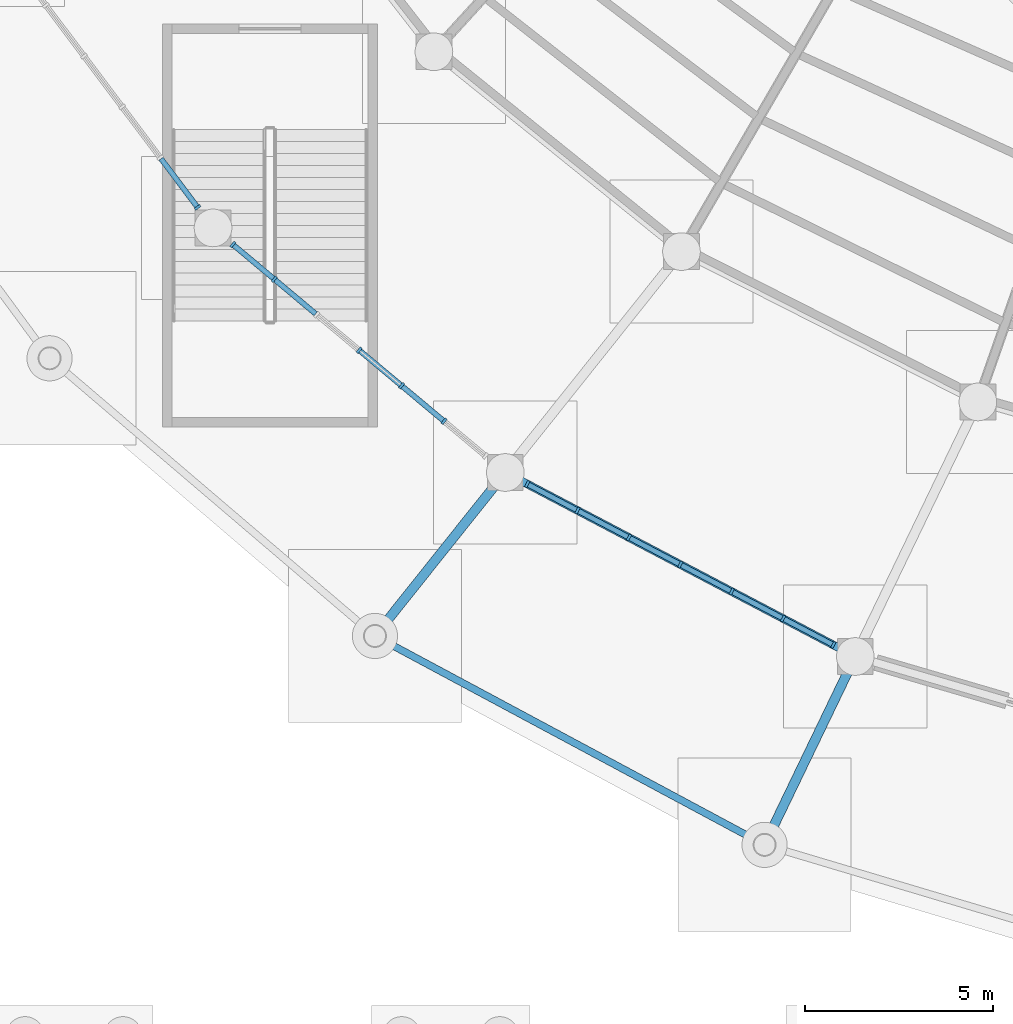
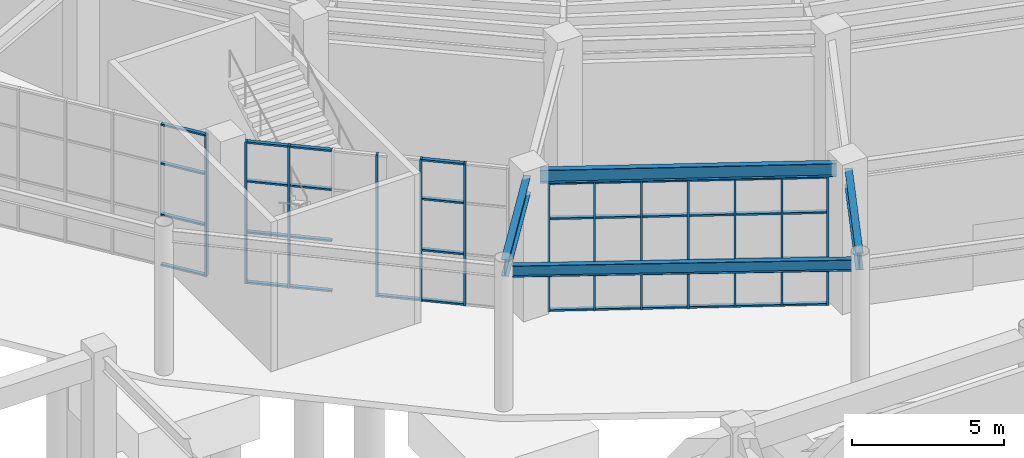
# One storey, part 28 of 121: 54 members, 4 beams, 3 elements without a shape of their own.
"""IFC4 building model written with IfcOpenShell, lengths in metres."""

from ifc_helpers import new_model, si_unit, direction, frame, origin, origin_2d, place, context, subcontext, project, spatial, rectangle, i_section, extrude, material, material_profile, profile_set, type_object, element, aggregate, save


model = new_model("IFC4")

# Units and contexts
model_context = context("Model", 3, precision=1e-05, world=origin(), true_north=direction((0.0, 1.0)))
body_context = subcontext(model_context, "Body", "Model", "MODEL_VIEW")
ifc_project = project(units=[si_unit("LENGTHUNIT", "METRE"), si_unit("AREAUNIT", "SQUARE_METRE"), si_unit("VOLUMEUNIT", "CUBIC_METRE"), si_unit("PLANEANGLEUNIT", "RADIAN"), si_unit("MASSUNIT", "GRAM", prefix="KILO")], contexts=[model_context])

# Site, building, storey
site_placement = place(None, origin())
site = spatial("IfcSite", under=ifc_project, at=site_placement, CompositionType="ELEMENT")
building_placement = place(site_placement, origin())
building = spatial("IfcBuilding", under=site, at=building_placement, Name="Cuetzalor Civic Arena", CompositionType="ELEMENT")
storey_placement = place(building_placement, origin())
storey = spatial("IfcBuildingStorey", under=building, at=storey_placement, Name="L00", CompositionType="ELEMENT", Elevation=0.0)

# Curtain wall, member
ifc_material_1 = material(Name="Anodised dark bronze aluminium and low-E solar glass", Category="aluminium")
curtain_wall_type_1 = type_object("IfcCurtainWallType", Name="UnitisedCW_8450x5700", PredefinedType="USERDEFINED", material=ifc_material_1)
curtain_wall_1_placement = place(storey_placement, origin())
curtain_wall_1 = element("IfcCurtainWall", 1, at=curtain_wall_1_placement, inside=storey, type_object=curtain_wall_type_1, Name="Drum Ground Recessed Concourse Curtain Wall L00-012", ObjectType="UNITISED CURTAIN WALL", PredefinedType="USERDEFINED")
ifc_material_2 = material(Name="Anodised dark bronze aluminium", Category="aluminium")
ifc_material_profile_1 = material_profile(ifc_material_2, rectangle(XDim=0.070068359375, YDim=0.179931640625, at=origin_2d()), Name="ALU MULLION 70x180")
ifc_profile_set_1 = profile_set([ifc_material_profile_1], Name="Anodised dark bronze aluminium")
member_type_1 = type_object("IfcMemberType", Name="CurtainWallMullion_65x180", PredefinedType="MULLION", material=ifc_profile_set_1)
member_1_placement = place(storey_placement, frame((-38.71923828125, -25.017822265625, 0.0), z_axis=(0.0, 0.0, 1.0), x_axis=(-0.600491594925, 0.799631067696, 0.0)))
member_1 = element("IfcMember", 2, at=member_1_placement, type_object=member_type_1, Name="CW-02 mullion 1", PredefinedType="MULLION", context=body_context, shape_type="SweptSolid", body=[
    extrude(rectangle(XDim=0.070068359375, YDim=0.179931640625, at=origin_2d()), origin(), (0.0, 0.0, 1.0), 5.699951171875),
])

# Curtain wall, members
ifc_material_3 = material(Name="Anodised dark bronze aluminium and low-E solar glass", Category="aluminium")
curtain_wall_type_2 = type_object("IfcCurtainWallType", Name="UnitisedCW_8800x5700", PredefinedType="USERDEFINED", material=ifc_material_3)
curtain_wall_2_placement = place(storey_placement, origin())
curtain_wall_2 = element("IfcCurtainWall", 3, at=curtain_wall_2_placement, inside=storey, type_object=curtain_wall_type_2, Name="Drum Ground Recessed Concourse Curtain Wall L00-013", ObjectType="UNITISED CURTAIN WALL", PredefinedType="USERDEFINED")
member_2_placement = place(storey_placement, frame((-32.177001953125, -30.694580078125, 0.0), z_axis=(0.0, 0.0, 1.0), x_axis=(-0.766928030459, 0.641733119059, 0.0)))
member_2 = element("IfcMember", 4, at=member_2_placement, type_object=member_type_1, Name="CW-03 mullion 2", PredefinedType="MULLION", context=body_context, shape_type="SweptSolid", body=[
    extrude(rectangle(XDim=0.070068359375, YDim=0.179931640625, at=origin_2d()), origin(), (0.0, 0.0, 1.0), 5.699951171875),
])
member_3_placement = place(storey_placement, frame((-33.3037109375, -29.751953125, 0.0), z_axis=(0.0, 0.0, 1.0), x_axis=(-0.766928030459, 0.641733119059, 0.0)))
member_3 = element("IfcMember", 5, at=member_3_placement, type_object=member_type_1, Name="CW-03 mullion 3", PredefinedType="MULLION", context=body_context, shape_type="SweptSolid", body=[
    extrude(rectangle(XDim=0.070068359375, YDim=0.179931640625, at=origin_2d()), origin(), (0.0, 0.0, 1.0), 5.699951171875),
])
member_4_placement = place(storey_placement, frame((-34.430419921875, -28.80908203125, 0.0), z_axis=(0.0, 0.0, 1.0), x_axis=(-0.766928030459, 0.641733119059, 0.0)))
member_4 = element("IfcMember", 6, at=member_4_placement, type_object=member_type_1, Name="CW-03 mullion 4", PredefinedType="MULLION", context=body_context, shape_type="SweptSolid", body=[
    extrude(rectangle(XDim=0.070068359375, YDim=0.179931640625, at=origin_2d()), origin(), (0.0, 0.0, 1.0), 5.699951171875),
])
member_5_placement = place(storey_placement, frame((-36.68359375, -26.923583984375, 0.0), z_axis=(0.0, 0.0, 1.0), x_axis=(-0.766928030459, 0.641733119059, 0.0)))
member_5 = element("IfcMember", 7, at=member_5_placement, type_object=member_type_1, Name="CW-03 mullion 6", PredefinedType="MULLION", context=body_context, shape_type="SweptSolid", body=[
    extrude(rectangle(XDim=0.070068359375, YDim=0.179931640625, at=origin_2d()), origin(), (0.0, 0.0, 1.0), 5.699951171875),
])
member_6_placement = place(storey_placement, frame((-37.783447265625, -26.00341796875, 0.0), z_axis=(0.0, 0.0, 1.0), x_axis=(-0.766928030459, 0.641733119059, 0.0)))
member_6 = element("IfcMember", 8, at=member_6_placement, type_object=member_type_1, Name="CW-03 mullion 7", PredefinedType="MULLION", context=body_context, shape_type="SweptSolid", body=[
    extrude(rectangle(XDim=0.070068359375, YDim=0.179931640625, at=origin_2d()), origin(), (0.0, 0.0, 1.0), 5.699951171875),
])

ifc_material_4 = material(Name="Anodised dark bronze aluminium and low-E solar glass", Category="aluminium")
curtain_wall_type_3 = type_object("IfcCurtainWallType", Name="UnitisedCW_9250x5150", PredefinedType="USERDEFINED", material=ifc_material_4)
curtain_wall_3_placement = place(storey_placement, origin())
curtain_wall_3 = element("IfcCurtainWall", 9, at=curtain_wall_3_placement, inside=storey, type_object=curtain_wall_type_3, Name="Drum Ground Recessed Concourse Curtain Wall L00-014", ObjectType="UNITISED CURTAIN WALL", PredefinedType="USERDEFINED")
member_7_placement = place(storey_placement, frame((-21.84326171875, -36.63330078125, 0.0), z_axis=(0.0, 0.0, 1.0), x_axis=(-0.885118421147, 0.465365856662, 0.0)))
member_7 = element("IfcMember", 10, at=member_7_placement, type_object=member_type_1, Name="CW-04 mullion 1", PredefinedType="MULLION", context=body_context, shape_type="SweptSolid", body=[
    extrude(rectangle(XDim=0.070068359375, YDim=0.179931640625, at=origin_2d()), origin(), (0.0, 0.0, 1.0), 5.156982421875),
])
member_8_placement = place(storey_placement, frame((-23.1767578125, -35.93212890625, 0.0), z_axis=(0.0, 0.0, 1.0), x_axis=(-0.885118421147, 0.465365856662, 0.0)))
member_8 = element("IfcMember", 11, at=member_8_placement, type_object=member_type_1, Name="CW-04 mullion 2", PredefinedType="MULLION", context=body_context, shape_type="SweptSolid", body=[
    extrude(rectangle(XDim=0.070068359375, YDim=0.179931640625, at=origin_2d()), origin(), (0.0, 0.0, 1.0), 5.156982421875),
])
member_9_placement = place(storey_placement, frame((-24.541259765625, -35.21484375, 0.0), z_axis=(0.0, 0.0, 1.0), x_axis=(-0.885118421147, 0.465365856662, 0.0)))
member_9 = element("IfcMember", 12, at=member_9_placement, type_object=member_type_1, Name="CW-04 mullion 3", PredefinedType="MULLION", context=body_context, shape_type="SweptSolid", body=[
    extrude(rectangle(XDim=0.070068359375, YDim=0.179931640625, at=origin_2d()), origin(), (0.0, 0.0, 1.0), 5.156982421875),
])
member_10_placement = place(storey_placement, frame((-25.90576171875, -34.497314453125, 0.0), z_axis=(0.0, 0.0, 1.0), x_axis=(-0.885118421147, 0.465365856662, 0.0)))
member_10 = element("IfcMember", 13, at=member_10_placement, type_object=member_type_1, Name="CW-04 mullion 4", PredefinedType="MULLION", context=body_context, shape_type="SweptSolid", body=[
    extrude(rectangle(XDim=0.070068359375, YDim=0.179931640625, at=origin_2d()), origin(), (0.0, 0.0, 1.0), 5.156982421875),
])
member_11_placement = place(storey_placement, frame((-27.27001953125, -33.780029296875, 0.0), z_axis=(0.0, 0.0, 1.0), x_axis=(-0.885118421147, 0.465365856662, 0.0)))
member_11 = element("IfcMember", 14, at=member_11_placement, type_object=member_type_1, Name="CW-04 mullion 5", PredefinedType="MULLION", context=body_context, shape_type="SweptSolid", body=[
    extrude(rectangle(XDim=0.070068359375, YDim=0.179931640625, at=origin_2d()), origin(), (0.0, 0.0, 1.0), 5.156982421875),
])
member_12_placement = place(storey_placement, frame((-28.634521484375, -33.0625, 0.0), z_axis=(0.0, 0.0, 1.0), x_axis=(-0.885118421147, 0.465365856662, 0.0)))
member_12 = element("IfcMember", 15, at=member_12_placement, type_object=member_type_1, Name="CW-04 mullion 6", PredefinedType="MULLION", context=body_context, shape_type="SweptSolid", body=[
    extrude(rectangle(XDim=0.070068359375, YDim=0.179931640625, at=origin_2d()), origin(), (0.0, 0.0, 1.0), 5.156982421875),
])
member_13_placement = place(storey_placement, frame((-29.968017578125, -32.361572265625, 0.0), z_axis=(0.0, 0.0, 1.0), x_axis=(-0.885118421147, 0.465365856662, 0.0)))
member_13 = element("IfcMember", 16, at=member_13_placement, type_object=member_type_1, Name="CW-04 mullion 7", PredefinedType="MULLION", context=body_context, shape_type="SweptSolid", body=[
    extrude(rectangle(XDim=0.070068359375, YDim=0.179931640625, at=origin_2d()), origin(), (0.0, 0.0, 1.0), 5.156982421875),
])

# Member
ifc_material_5 = material(Name="Anodised dark bronze aluminium", Category="aluminium")
ifc_material_profile_2 = material_profile(ifc_material_5, rectangle(XDim=0.139892578125, YDim=0.070068359375, at=origin_2d()), Name="ALU TRANSOM 70x140")
ifc_profile_set_2 = profile_set([ifc_material_profile_2], Name="Anodised dark bronze aluminium")
member_type_2 = type_object("IfcMemberType", Name="CurtainWallTransom_65x140", PredefinedType="USERDEFINED", material=ifc_profile_set_2)
member_14_placement = place(storey_placement, frame((-38.740234375, -24.98974609375, 0.034912109375), z_axis=(-0.600518840652, 0.799610606496, 0.0), x_axis=(-0.799610606496, -0.600518840652, 0.0)))
member_14 = element("IfcMember", 17, at=member_14_placement, type_object=member_type_2, Name="CW-02 transom 1.1", ObjectType="TRANSOM", PredefinedType="USERDEFINED", context=body_context, shape_type="SweptSolid", body=[
    extrude(rectangle(XDim=0.139892578125, YDim=0.070068359375, at=origin_2d()), origin(), (0.0, 0.0, 1.0), 1.58056640625),
])

member_15_placement = place(storey_placement, frame((-38.740234375, -24.98974609375, 2.052001953125), z_axis=(-0.600518840652, 0.799610606496, 0.0), x_axis=(-0.799610606496, -0.600518840652, 0.0)))
member_15 = element("IfcMember", 18, at=member_15_placement, type_object=member_type_2, Name="CW-02 transom 1.2", ObjectType="TRANSOM", PredefinedType="USERDEFINED", context=body_context, shape_type="SweptSolid", body=[
    extrude(rectangle(XDim=0.139892578125, YDim=0.070068359375, at=origin_2d()), origin(), (0.0, 0.0, 1.0), 1.58056640625),
])

member_16_placement = place(storey_placement, frame((-38.740234375, -24.98974609375, 4.10400390625), z_axis=(-0.600518840652, 0.799610606496, 0.0), x_axis=(-0.799610606496, -0.600518840652, 0.0)))
member_16 = element("IfcMember", 19, at=member_16_placement, type_object=member_type_2, Name="CW-02 transom 1.3", ObjectType="TRANSOM", PredefinedType="USERDEFINED", context=body_context, shape_type="SweptSolid", body=[
    extrude(rectangle(XDim=0.139892578125, YDim=0.070068359375, at=origin_2d()), origin(), (0.0, 0.0, 1.0), 1.58056640625),
])

member_17_placement = place(storey_placement, frame((-38.740234375, -24.98974609375, 5.6650390625), z_axis=(-0.600518840652, 0.799610606496, 0.0), x_axis=(-0.799610606496, -0.600518840652, 0.0)))
member_17 = element("IfcMember", 20, at=member_17_placement, type_object=member_type_2, Name="CW-02 transom 1.4", ObjectType="TRANSOM", PredefinedType="USERDEFINED", context=body_context, shape_type="SweptSolid", body=[
    extrude(rectangle(XDim=0.139892578125, YDim=0.070068359375, at=origin_2d()), origin(), (0.0, 0.0, 1.0), 1.58056640625),
])

aggregate(curtain_wall_1, [member_1, member_14, member_15, member_16, member_17])

member_18_placement = place(storey_placement, frame((-32.203857421875, -30.672119140625, 0.034912109375), z_axis=(-0.766975365209, 0.641676545591, 0.0), x_axis=(-0.641676545591, -0.766975365209, 0.0)))
member_18 = element("IfcMember", 21, at=member_18_placement, type_object=member_type_2, Name="CW-03 transom 2.1", ObjectType="TRANSOM", PredefinedType="USERDEFINED", context=body_context, shape_type="SweptSolid", body=[
    extrude(rectangle(XDim=0.139892578125, YDim=0.070068359375, at=origin_2d()), origin(), (0.0, 0.0, 1.0), 1.39892578125),
])

member_19_placement = place(storey_placement, frame((-32.203857421875, -30.672119140625, 2.052001953125), z_axis=(-0.766975365209, 0.641676545591, 0.0), x_axis=(-0.641676545591, -0.766975365209, 0.0)))
member_19 = element("IfcMember", 22, at=member_19_placement, type_object=member_type_2, Name="CW-03 transom 2.2", ObjectType="TRANSOM", PredefinedType="USERDEFINED", context=body_context, shape_type="SweptSolid", body=[
    extrude(rectangle(XDim=0.139892578125, YDim=0.070068359375, at=origin_2d()), origin(), (0.0, 0.0, 1.0), 1.39892578125),
])

member_20_placement = place(storey_placement, frame((-32.203857421875, -30.672119140625, 4.10400390625), z_axis=(-0.766975365209, 0.641676545591, 0.0), x_axis=(-0.641676545591, -0.766975365209, 0.0)))
member_20 = element("IfcMember", 23, at=member_20_placement, type_object=member_type_2, Name="CW-03 transom 2.3", ObjectType="TRANSOM", PredefinedType="USERDEFINED", context=body_context, shape_type="SweptSolid", body=[
    extrude(rectangle(XDim=0.139892578125, YDim=0.070068359375, at=origin_2d()), origin(), (0.0, 0.0, 1.0), 1.39892578125),
])

member_21_placement = place(storey_placement, frame((-32.203857421875, -30.672119140625, 5.6650390625), z_axis=(-0.766975365209, 0.641676545591, 0.0), x_axis=(-0.641676545591, -0.766975365209, 0.0)))
member_21 = element("IfcMember", 24, at=member_21_placement, type_object=member_type_2, Name="CW-03 transom 2.4", ObjectType="TRANSOM", PredefinedType="USERDEFINED", context=body_context, shape_type="SweptSolid", body=[
    extrude(rectangle(XDim=0.139892578125, YDim=0.070068359375, at=origin_2d()), origin(), (0.0, 0.0, 1.0), 1.39892578125),
])

member_22_placement = place(storey_placement, frame((-33.33056640625, -29.7294921875, 0.034912109375), z_axis=(-0.766889482405, 0.641779184593, 0.0), x_axis=(-0.641779184593, -0.766889482405, 0.0)))
member_22 = element("IfcMember", 25, at=member_22_placement, type_object=member_type_2, Name="CW-03 transom 3.1", ObjectType="TRANSOM", PredefinedType="USERDEFINED", context=body_context, shape_type="SweptSolid", body=[
    extrude(rectangle(XDim=0.139892578125, YDim=0.070068359375, at=origin_2d()), origin(), (0.0, 0.0, 1.0), 1.399169921875),
])

member_23_placement = place(storey_placement, frame((-35.583740234375, -27.843994140625, 0.034912109375), z_axis=(-0.766889482405, 0.641779184593, 0.0), x_axis=(-0.641779184593, -0.766889482405, 0.0)))
member_23 = element("IfcMember", 26, at=member_23_placement, type_object=member_type_2, Name="CW-03 transom 5.1", ObjectType="TRANSOM", PredefinedType="USERDEFINED", context=body_context, shape_type="SweptSolid", body=[
    extrude(rectangle(XDim=0.139892578125, YDim=0.070068359375, at=origin_2d()), origin(), (0.0, 0.0, 1.0), 1.399169921875),
])

member_24_placement = place(storey_placement, frame((-35.583740234375, -27.843994140625, 2.052001953125), z_axis=(-0.766889482405, 0.641779184593, 0.0), x_axis=(-0.641779184593, -0.766889482405, 0.0)))
member_24 = element("IfcMember", 27, at=member_24_placement, type_object=member_type_2, Name="CW-03 transom 5.2", ObjectType="TRANSOM", PredefinedType="USERDEFINED", context=body_context, shape_type="SweptSolid", body=[
    extrude(rectangle(XDim=0.139892578125, YDim=0.070068359375, at=origin_2d()), origin(), (0.0, 0.0, 1.0), 1.399169921875),
])

member_25_placement = place(storey_placement, frame((-35.583740234375, -27.843994140625, 4.10400390625), z_axis=(-0.766889482405, 0.641779184593, 0.0), x_axis=(-0.641779184593, -0.766889482405, 0.0)))
member_25 = element("IfcMember", 28, at=member_25_placement, type_object=member_type_2, Name="CW-03 transom 5.3", ObjectType="TRANSOM", PredefinedType="USERDEFINED", context=body_context, shape_type="SweptSolid", body=[
    extrude(rectangle(XDim=0.139892578125, YDim=0.070068359375, at=origin_2d()), origin(), (0.0, 0.0, 1.0), 1.399169921875),
])

member_26_placement = place(storey_placement, frame((-35.583740234375, -27.843994140625, 5.6650390625), z_axis=(-0.766889482405, 0.641779184593, 0.0), x_axis=(-0.641779184593, -0.766889482405, 0.0)))
member_26 = element("IfcMember", 29, at=member_26_placement, type_object=member_type_2, Name="CW-03 transom 5.4", ObjectType="TRANSOM", PredefinedType="USERDEFINED", context=body_context, shape_type="SweptSolid", body=[
    extrude(rectangle(XDim=0.139892578125, YDim=0.070068359375, at=origin_2d()), origin(), (0.0, 0.0, 1.0), 1.399169921875),
])

member_27_placement = place(storey_placement, frame((-36.71044921875, -26.901123046875, 0.034912109375), z_axis=(-0.766972759582, 0.641679660001, 0.0), x_axis=(-0.641679660001, -0.766972759582, 0.0)))
member_27 = element("IfcMember", 30, at=member_27_placement, type_object=member_type_2, Name="CW-03 transom 6.1", ObjectType="TRANSOM", PredefinedType="USERDEFINED", context=body_context, shape_type="SweptSolid", body=[
    extrude(rectangle(XDim=0.139892578125, YDim=0.070068359375, at=origin_2d()), origin(), (0.0, 0.0, 1.0), 1.364013671875),
])

member_28_placement = place(storey_placement, frame((-36.71044921875, -26.901123046875, 2.052001953125), z_axis=(-0.766972759582, 0.641679660001, 0.0), x_axis=(-0.641679660001, -0.766972759582, 0.0)))
member_28 = element("IfcMember", 31, at=member_28_placement, type_object=member_type_2, Name="CW-03 transom 6.2", ObjectType="TRANSOM", PredefinedType="USERDEFINED", context=body_context, shape_type="SweptSolid", body=[
    extrude(rectangle(XDim=0.139892578125, YDim=0.070068359375, at=origin_2d()), origin(), (0.0, 0.0, 1.0), 1.364013671875),
])

member_29_placement = place(storey_placement, frame((-36.71044921875, -26.901123046875, 4.10400390625), z_axis=(-0.766972759582, 0.641679660001, 0.0), x_axis=(-0.641679660001, -0.766972759582, 0.0)))
member_29 = element("IfcMember", 32, at=member_29_placement, type_object=member_type_2, Name="CW-03 transom 6.3", ObjectType="TRANSOM", PredefinedType="USERDEFINED", context=body_context, shape_type="SweptSolid", body=[
    extrude(rectangle(XDim=0.139892578125, YDim=0.070068359375, at=origin_2d()), origin(), (0.0, 0.0, 1.0), 1.364013671875),
])

member_30_placement = place(storey_placement, frame((-36.71044921875, -26.901123046875, 5.6650390625), z_axis=(-0.766972759582, 0.641679660001, 0.0), x_axis=(-0.641679660001, -0.766972759582, 0.0)))
member_30 = element("IfcMember", 33, at=member_30_placement, type_object=member_type_2, Name="CW-03 transom 6.4", ObjectType="TRANSOM", PredefinedType="USERDEFINED", context=body_context, shape_type="SweptSolid", body=[
    extrude(rectangle(XDim=0.139892578125, YDim=0.070068359375, at=origin_2d()), origin(), (0.0, 0.0, 1.0), 1.364013671875),
])

aggregate(curtain_wall_2, [member_2, member_3, member_4, member_5, member_6, member_18, member_19, member_20, member_21, member_22, member_23, member_24, member_25, member_26, member_27, member_28, member_29, member_30])

member_31_placement = place(storey_placement, frame((-21.874267578125, -36.616943359375, 0.034912109375), z_axis=(-0.885131956894, 0.465340110978, 0.0), x_axis=(-0.465340110978, -0.885131956894, 0.0)))
member_31 = element("IfcMember", 34, at=member_31_placement, type_object=member_type_2, Name="CW-04 transom 1.1", ObjectType="TRANSOM", PredefinedType="USERDEFINED", context=body_context, shape_type="SweptSolid", body=[
    extrude(rectangle(XDim=0.139892578125, YDim=0.070068359375, at=origin_2d()), origin(), (0.0, 0.0, 1.0), 1.4365234375),
])

member_32_placement = place(storey_placement, frame((-21.874267578125, -36.616943359375, 1.85693359375), z_axis=(-0.885131956894, 0.465340110978, 0.0), x_axis=(-0.465340110978, -0.885131956894, 0.0)))
member_32 = element("IfcMember", 35, at=member_32_placement, type_object=member_type_2, Name="CW-04 transom 1.2", ObjectType="TRANSOM", PredefinedType="USERDEFINED", context=body_context, shape_type="SweptSolid", body=[
    extrude(rectangle(XDim=0.139892578125, YDim=0.070068359375, at=origin_2d()), origin(), (0.0, 0.0, 1.0), 1.4365234375),
])

member_33_placement = place(storey_placement, frame((-21.874267578125, -36.616943359375, 3.712890625), z_axis=(-0.885131956894, 0.465340110978, 0.0), x_axis=(-0.465340110978, -0.885131956894, 0.0)))
member_33 = element("IfcMember", 36, at=member_33_placement, type_object=member_type_2, Name="CW-04 transom 1.3", ObjectType="TRANSOM", PredefinedType="USERDEFINED", context=body_context, shape_type="SweptSolid", body=[
    extrude(rectangle(XDim=0.139892578125, YDim=0.070068359375, at=origin_2d()), origin(), (0.0, 0.0, 1.0), 1.4365234375),
])

member_34_placement = place(storey_placement, frame((-21.874267578125, -36.616943359375, 5.1220703125), z_axis=(-0.885131956894, 0.465340110978, 0.0), x_axis=(-0.465340110978, -0.885131956894, 0.0)))
member_34 = element("IfcMember", 37, at=member_34_placement, type_object=member_type_2, Name="CW-04 transom 1.4", ObjectType="TRANSOM", PredefinedType="USERDEFINED", context=body_context, shape_type="SweptSolid", body=[
    extrude(rectangle(XDim=0.139892578125, YDim=0.070068359375, at=origin_2d()), origin(), (0.0, 0.0, 1.0), 1.4365234375),
])

member_35_placement = place(storey_placement, frame((-23.207763671875, -35.916015625, 0.034912109375), z_axis=(-0.885116079734, 0.465370309963, 0.0), x_axis=(-0.465370309963, -0.885116079734, 0.0)))
member_35 = element("IfcMember", 38, at=member_35_placement, type_object=member_type_2, Name="CW-04 transom 2.1", ObjectType="TRANSOM", PredefinedType="USERDEFINED", context=body_context, shape_type="SweptSolid", body=[
    extrude(rectangle(XDim=0.139892578125, YDim=0.070068359375, at=origin_2d()), origin(), (0.0, 0.0, 1.0), 1.471435546875),
])

member_36_placement = place(storey_placement, frame((-23.207763671875, -35.916015625, 1.85693359375), z_axis=(-0.885116079734, 0.465370309963, 0.0), x_axis=(-0.465370309963, -0.885116079734, 0.0)))
member_36 = element("IfcMember", 39, at=member_36_placement, type_object=member_type_2, Name="CW-04 transom 2.2", ObjectType="TRANSOM", PredefinedType="USERDEFINED", context=body_context, shape_type="SweptSolid", body=[
    extrude(rectangle(XDim=0.139892578125, YDim=0.070068359375, at=origin_2d()), origin(), (0.0, 0.0, 1.0), 1.471435546875),
])

member_37_placement = place(storey_placement, frame((-23.207763671875, -35.916015625, 3.712890625), z_axis=(-0.885116079734, 0.465370309963, 0.0), x_axis=(-0.465370309963, -0.885116079734, 0.0)))
member_37 = element("IfcMember", 40, at=member_37_placement, type_object=member_type_2, Name="CW-04 transom 2.3", ObjectType="TRANSOM", PredefinedType="USERDEFINED", context=body_context, shape_type="SweptSolid", body=[
    extrude(rectangle(XDim=0.139892578125, YDim=0.070068359375, at=origin_2d()), origin(), (0.0, 0.0, 1.0), 1.471435546875),
])

member_38_placement = place(storey_placement, frame((-23.207763671875, -35.916015625, 5.1220703125), z_axis=(-0.885116079734, 0.465370309963, 0.0), x_axis=(-0.465370309963, -0.885116079734, 0.0)))
member_38 = element("IfcMember", 41, at=member_38_placement, type_object=member_type_2, Name="CW-04 transom 2.4", ObjectType="TRANSOM", PredefinedType="USERDEFINED", context=body_context, shape_type="SweptSolid", body=[
    extrude(rectangle(XDim=0.139892578125, YDim=0.070068359375, at=origin_2d()), origin(), (0.0, 0.0, 1.0), 1.471435546875),
])

member_39_placement = place(storey_placement, frame((-24.572265625, -35.198486328125, 0.034912109375), z_axis=(-0.885116079734, 0.465370309963, 0.0), x_axis=(-0.465370309963, -0.885116079734, 0.0)))
member_39 = element("IfcMember", 42, at=member_39_placement, type_object=member_type_2, Name="CW-04 transom 3.1", ObjectType="TRANSOM", PredefinedType="USERDEFINED", context=body_context, shape_type="SweptSolid", body=[
    extrude(rectangle(XDim=0.139892578125, YDim=0.070068359375, at=origin_2d()), origin(), (0.0, 0.0, 1.0), 1.471435546875),
])

member_40_placement = place(storey_placement, frame((-24.572265625, -35.198486328125, 1.85693359375), z_axis=(-0.885116079734, 0.465370309963, 0.0), x_axis=(-0.465370309963, -0.885116079734, 0.0)))
member_40 = element("IfcMember", 43, at=member_40_placement, type_object=member_type_2, Name="CW-04 transom 3.2", ObjectType="TRANSOM", PredefinedType="USERDEFINED", context=body_context, shape_type="SweptSolid", body=[
    extrude(rectangle(XDim=0.139892578125, YDim=0.070068359375, at=origin_2d()), origin(), (0.0, 0.0, 1.0), 1.471435546875),
])

member_41_placement = place(storey_placement, frame((-24.572265625, -35.198486328125, 3.712890625), z_axis=(-0.885116079734, 0.465370309963, 0.0), x_axis=(-0.465370309963, -0.885116079734, 0.0)))
member_41 = element("IfcMember", 44, at=member_41_placement, type_object=member_type_2, Name="CW-04 transom 3.3", ObjectType="TRANSOM", PredefinedType="USERDEFINED", context=body_context, shape_type="SweptSolid", body=[
    extrude(rectangle(XDim=0.139892578125, YDim=0.070068359375, at=origin_2d()), origin(), (0.0, 0.0, 1.0), 1.471435546875),
])

member_42_placement = place(storey_placement, frame((-24.572265625, -35.198486328125, 5.1220703125), z_axis=(-0.885116079734, 0.465370309963, 0.0), x_axis=(-0.465370309963, -0.885116079734, 0.0)))
member_42 = element("IfcMember", 45, at=member_42_placement, type_object=member_type_2, Name="CW-04 transom 3.4", ObjectType="TRANSOM", PredefinedType="USERDEFINED", context=body_context, shape_type="SweptSolid", body=[
    extrude(rectangle(XDim=0.139892578125, YDim=0.070068359375, at=origin_2d()), origin(), (0.0, 0.0, 1.0), 1.471435546875),
])

member_43_placement = place(storey_placement, frame((-25.9365234375, -34.481201171875, 0.034912109375), z_axis=(-0.885152002312, 0.465301980226, 0.0), x_axis=(-0.465301980226, -0.885152002312, 0.0)))
member_43 = element("IfcMember", 46, at=member_43_placement, type_object=member_type_2, Name="CW-04 transom 4.1", ObjectType="TRANSOM", PredefinedType="USERDEFINED", context=body_context, shape_type="SweptSolid", body=[
    extrude(rectangle(XDim=0.139892578125, YDim=0.070068359375, at=origin_2d()), origin(), (0.0, 0.0, 1.0), 1.4716796875),
])

member_44_placement = place(storey_placement, frame((-25.9365234375, -34.481201171875, 1.85693359375), z_axis=(-0.885152002312, 0.465301980226, 0.0), x_axis=(-0.465301980226, -0.885152002312, 0.0)))
member_44 = element("IfcMember", 47, at=member_44_placement, type_object=member_type_2, Name="CW-04 transom 4.2", ObjectType="TRANSOM", PredefinedType="USERDEFINED", context=body_context, shape_type="SweptSolid", body=[
    extrude(rectangle(XDim=0.139892578125, YDim=0.070068359375, at=origin_2d()), origin(), (0.0, 0.0, 1.0), 1.4716796875),
])

member_45_placement = place(storey_placement, frame((-25.9365234375, -34.481201171875, 3.712890625), z_axis=(-0.885152002312, 0.465301980226, 0.0), x_axis=(-0.465301980226, -0.885152002312, 0.0)))
member_45 = element("IfcMember", 48, at=member_45_placement, type_object=member_type_2, Name="CW-04 transom 4.3", ObjectType="TRANSOM", PredefinedType="USERDEFINED", context=body_context, shape_type="SweptSolid", body=[
    extrude(rectangle(XDim=0.139892578125, YDim=0.070068359375, at=origin_2d()), origin(), (0.0, 0.0, 1.0), 1.4716796875),
])

member_46_placement = place(storey_placement, frame((-25.9365234375, -34.481201171875, 5.1220703125), z_axis=(-0.885152002312, 0.465301980226, 0.0), x_axis=(-0.465301980226, -0.885152002312, 0.0)))
member_46 = element("IfcMember", 49, at=member_46_placement, type_object=member_type_2, Name="CW-04 transom 4.4", ObjectType="TRANSOM", PredefinedType="USERDEFINED", context=body_context, shape_type="SweptSolid", body=[
    extrude(rectangle(XDim=0.139892578125, YDim=0.070068359375, at=origin_2d()), origin(), (0.0, 0.0, 1.0), 1.4716796875),
])

member_47_placement = place(storey_placement, frame((-27.301025390625, -33.763671875, 0.034912109375), z_axis=(-0.885116079734, 0.465370309963, 0.0), x_axis=(-0.465370309963, -0.885116079734, 0.0)))
member_47 = element("IfcMember", 50, at=member_47_placement, type_object=member_type_2, Name="CW-04 transom 5.1", ObjectType="TRANSOM", PredefinedType="USERDEFINED", context=body_context, shape_type="SweptSolid", body=[
    extrude(rectangle(XDim=0.139892578125, YDim=0.070068359375, at=origin_2d()), origin(), (0.0, 0.0, 1.0), 1.471435546875),
])

member_48_placement = place(storey_placement, frame((-27.301025390625, -33.763671875, 1.85693359375), z_axis=(-0.885116079734, 0.465370309963, 0.0), x_axis=(-0.465370309963, -0.885116079734, 0.0)))
member_48 = element("IfcMember", 51, at=member_48_placement, type_object=member_type_2, Name="CW-04 transom 5.2", ObjectType="TRANSOM", PredefinedType="USERDEFINED", context=body_context, shape_type="SweptSolid", body=[
    extrude(rectangle(XDim=0.139892578125, YDim=0.070068359375, at=origin_2d()), origin(), (0.0, 0.0, 1.0), 1.471435546875),
])

member_49_placement = place(storey_placement, frame((-27.301025390625, -33.763671875, 3.712890625), z_axis=(-0.885116079734, 0.465370309963, 0.0), x_axis=(-0.465370309963, -0.885116079734, 0.0)))
member_49 = element("IfcMember", 52, at=member_49_placement, type_object=member_type_2, Name="CW-04 transom 5.3", ObjectType="TRANSOM", PredefinedType="USERDEFINED", context=body_context, shape_type="SweptSolid", body=[
    extrude(rectangle(XDim=0.139892578125, YDim=0.070068359375, at=origin_2d()), origin(), (0.0, 0.0, 1.0), 1.471435546875),
])

member_50_placement = place(storey_placement, frame((-27.301025390625, -33.763671875, 5.1220703125), z_axis=(-0.885116079734, 0.465370309963, 0.0), x_axis=(-0.465370309963, -0.885116079734, 0.0)))
member_50 = element("IfcMember", 53, at=member_50_placement, type_object=member_type_2, Name="CW-04 transom 5.4", ObjectType="TRANSOM", PredefinedType="USERDEFINED", context=body_context, shape_type="SweptSolid", body=[
    extrude(rectangle(XDim=0.139892578125, YDim=0.070068359375, at=origin_2d()), origin(), (0.0, 0.0, 1.0), 1.471435546875),
])

member_51_placement = place(storey_placement, frame((-28.66552734375, -33.04638671875, 0.034912109375), z_axis=(-0.885098761997, 0.465403246134, 0.0), x_axis=(-0.465403246134, -0.885098761997, 0.0)))
member_51 = element("IfcMember", 54, at=member_51_placement, type_object=member_type_2, Name="CW-04 transom 6.1", ObjectType="TRANSOM", PredefinedType="USERDEFINED", context=body_context, shape_type="SweptSolid", body=[
    extrude(rectangle(XDim=0.139892578125, YDim=0.070068359375, at=origin_2d()), origin(), (0.0, 0.0, 1.0), 1.436767578125),
])

member_52_placement = place(storey_placement, frame((-28.66552734375, -33.04638671875, 1.85693359375), z_axis=(-0.885098761997, 0.465403246134, 0.0), x_axis=(-0.465403246134, -0.885098761997, 0.0)))
member_52 = element("IfcMember", 55, at=member_52_placement, type_object=member_type_2, Name="CW-04 transom 6.2", ObjectType="TRANSOM", PredefinedType="USERDEFINED", context=body_context, shape_type="SweptSolid", body=[
    extrude(rectangle(XDim=0.139892578125, YDim=0.070068359375, at=origin_2d()), origin(), (0.0, 0.0, 1.0), 1.436767578125),
])

member_53_placement = place(storey_placement, frame((-28.66552734375, -33.04638671875, 3.712890625), z_axis=(-0.885098761997, 0.465403246134, 0.0), x_axis=(-0.465403246134, -0.885098761997, 0.0)))
member_53 = element("IfcMember", 56, at=member_53_placement, type_object=member_type_2, Name="CW-04 transom 6.3", ObjectType="TRANSOM", PredefinedType="USERDEFINED", context=body_context, shape_type="SweptSolid", body=[
    extrude(rectangle(XDim=0.139892578125, YDim=0.070068359375, at=origin_2d()), origin(), (0.0, 0.0, 1.0), 1.436767578125),
])

member_54_placement = place(storey_placement, frame((-28.66552734375, -33.04638671875, 5.1220703125), z_axis=(-0.885098761997, 0.465403246134, 0.0), x_axis=(-0.465403246134, -0.885098761997, 0.0)))
member_54 = element("IfcMember", 57, at=member_54_placement, type_object=member_type_2, Name="CW-04 transom 6.4", ObjectType="TRANSOM", PredefinedType="USERDEFINED", context=body_context, shape_type="SweptSolid", body=[
    extrude(rectangle(XDim=0.139892578125, YDim=0.070068359375, at=origin_2d()), origin(), (0.0, 0.0, 1.0), 1.436767578125),
])

aggregate(curtain_wall_3, [member_7, member_8, member_9, member_10, member_11, member_12, member_13, member_31, member_32, member_33, member_34, member_35, member_36, member_37, member_38, member_39, member_40, member_41, member_42, member_43, member_44, member_45, member_46, member_47, member_48, member_49, member_50, member_51, member_52, member_53, member_54])

# Beams
ifc_material_6 = material(Name="Steel S355", Category="steel")
ifc_material_profile_3 = material_profile(ifc_material_6, i_section(OverallWidth=0.18994140625, OverallDepth=0.45703125, WebThickness=0.009033203125, FlangeThickness=0.014404296875, at=origin_2d()), Name="W460x74")
ifc_profile_set_3 = profile_set([ifc_material_profile_3], Name="Steel S355")
beam_type_1 = type_object("IfcBeamType", Name="FacadeSpandrelBeam_W460", PredefinedType="SPANDREL", material=ifc_profile_set_3)
beam_1_placement = place(storey_placement, frame((-33.755859375, -36.53125, 5.471435546875), z_axis=(0.881304552514, -0.472548712534, 0.0), x_axis=(0.472548712534, 0.881304552514, 0.0)))
element("IfcBeam", 58, at=beam_1_placement, inside=storey, type_object=beam_type_1, Name="Drum Perimeter Spandrel L00-S19", PredefinedType="SPANDREL", context=body_context, shape_type="SweptSolid", body=[
    extrude(i_section(OverallWidth=0.18994140625, OverallDepth=0.45703125, WebThickness=0.009033203125, FlangeThickness=0.014404296875, at=origin_2d()), origin(), (0.0, 0.0, 1.0), 11.156005859375),
])
ifc_material_7 = material(Name="Steel S355", Category="steel")
ifc_material_profile_4 = material_profile(ifc_material_7, i_section(OverallWidth=0.208984375, OverallDepth=0.532958984375, WebThickness=0.01025390625, FlangeThickness=0.015625, at=origin_2d()), Name="W530x92")
ifc_profile_set_4 = profile_set([ifc_material_profile_4], Name="Steel S355")
beam_type_2 = type_object("IfcBeamType", Name="SteelCollarGirder_W530", PredefinedType="BEAM", material=ifc_profile_set_4)
beam_2_placement = place(storey_placement, frame((-30.223388671875, -32.227294921875, 5.43359375), z_axis=(0.885117354883, -0.465367884673, 0.0), x_axis=(0.465367884673, 0.885117354883, 0.0)))
element("IfcBeam", 59, at=beam_2_placement, inside=storey, type_object=beam_type_2, Name="Drum Concourse Ring Girder L00-S19", PredefinedType="BEAM", context=body_context, shape_type="SweptSolid", body=[
    extrude(i_section(OverallWidth=0.208984375, OverallDepth=0.532958984375, WebThickness=0.01025390625, FlangeThickness=0.015625, at=origin_2d()), origin(), (0.0, 0.0, 1.0), 9.75634765625),
])
ifc_material_8 = material(Name="Steel S355", Category="steel")
ifc_material_profile_5 = material_profile(ifc_material_8, i_section(OverallWidth=0.2529296875, OverallDepth=0.677978515625, WebThickness=0.01171875, FlangeThickness=0.016357421875, at=origin_2d()), Name="W690x125")
ifc_profile_set_5 = profile_set([ifc_material_profile_5], Name="Steel S355")
beam_type_3 = type_object("IfcBeamType", Name="SteelPrimaryGirder_W690", PredefinedType="BEAM", material=ifc_profile_set_5)
for number, where, z_axis, x_axis, name in (
    (60, (-30.775390625, -32.336669921875, 5.361083984375), (-0.623515538789, -0.781810957258, 0.0), (0.781810957258, -0.623515538789, 0.0), "Drum Radial Girder L00-R19"),
    (61, (-21.41650390625, -37.263916015625, 5.361083984375), (-0.433871046232, -0.900974980364, 0.0), (0.900974980364, -0.433871046232, 0.0), "Drum Radial Girder L00-R20"),
):
    element("IfcBeam", number, at=place(storey_placement, frame(where, z_axis=z_axis, x_axis=x_axis)), inside=storey, type_object=beam_type_3, Name=name, PredefinedType="BEAM", context=body_context, shape_type="SweptSolid", body=[
        extrude(i_section(OverallWidth=0.2529296875, OverallDepth=0.677978515625, WebThickness=0.01171875, FlangeThickness=0.016357421875, at=origin_2d()), origin(), (0.0, 0.0, 1.0), 4.89990234375),
    ])

save(model, "model.ifc")
